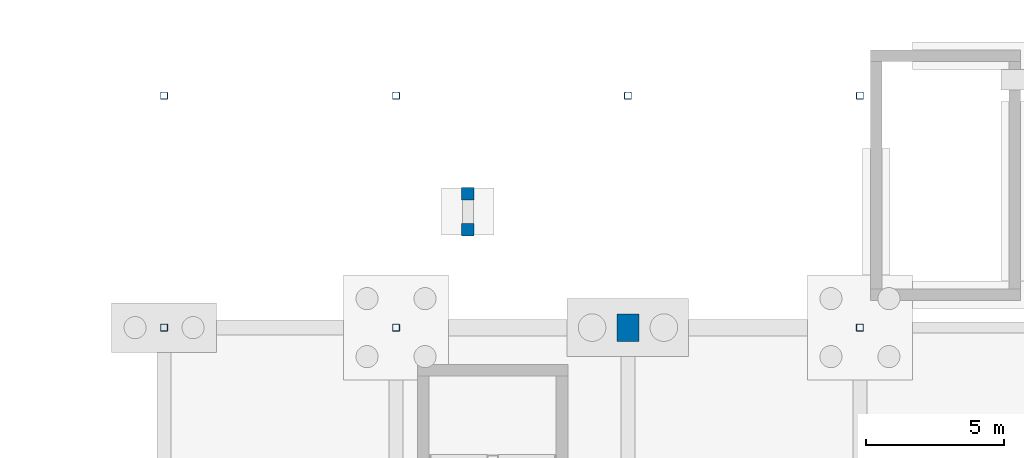
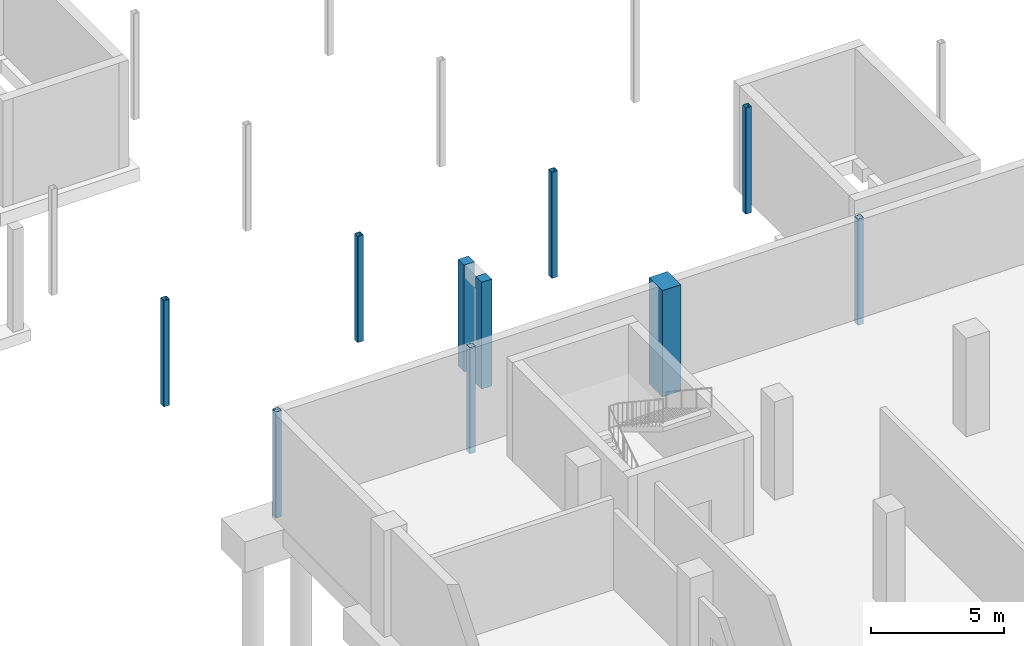
# One storey, part 24 of 39: 10 columns.
"""IFC4 building model written with IfcOpenShell, lengths in metres."""

from ifc_helpers import new_model, si_unit, derived_unit, direction, frame, origin, origin_2d, place, context, subcontext, project, spatial, rectangle, hollow_rectangle, extrude, material, material_profile, profile_set, type_object, element, save


model = new_model("IFC4")

# Units and contexts
model_context = context("Model", 3, precision=1e-05, world=origin(), true_north=direction((0.0, 1.0)))
body_context = subcontext(model_context, "Body", "Model", "MODEL_VIEW")
ifc_project = project(units=[si_unit("LENGTHUNIT", "METRE"), si_unit("AREAUNIT", "SQUARE_METRE"), si_unit("VOLUMEUNIT", "CUBIC_METRE"), si_unit("PLANEANGLEUNIT", "RADIAN"), si_unit("MASSUNIT", "GRAM", prefix="KILO"), derived_unit("THERMALTRANSMITTANCEUNIT", [(si_unit("POWERUNIT", "WATT"), 1), (si_unit("LENGTHUNIT", "METRE"), -2), (si_unit("THERMODYNAMICTEMPERATUREUNIT", "KELVIN"), -1)])], contexts=[model_context])

# Site, building, storey
site_placement = place(None, origin())
site = spatial("IfcSite", under=ifc_project, at=site_placement, CompositionType="ELEMENT")
building_placement = place(site_placement, origin())
building = spatial("IfcBuilding", under=site, at=building_placement, Name="Barrovel Congress Hotel", CompositionType="ELEMENT")
storey_placement = place(building_placement, frame((0.0, 0.0, -4.5)))
storey = spatial("IfcBuildingStorey", under=building, at=storey_placement, Name="B01", CompositionType="ELEMENT", Elevation=-4.5)

# Columns
ifc_material_1 = material(Name="Concrete C40", Category="concrete")
ifc_material_profile_1 = material_profile(ifc_material_1, rectangle(XDim=0.449951171875, YDim=0.449951171875, at=origin_2d()), Name="RC450x450")
ifc_profile_set_1 = profile_set([ifc_material_profile_1], Name="Concrete C40")
column_type_1 = type_object("IfcColumnType", Name="COL-RC450x450", PredefinedType="COLUMN", material=ifc_profile_set_1)
for number, where, z_axis, x_axis, name in (
    (1, (137.0, 83.35009765625, -0.360107421875), (0.0, 0.0, 1.0), (1.0, 0.0, 0.0), "COL:RAMP:R-06:F1:1:A"),
    (2, (137.0, 84.64990234375, -0.360107421875), (0.0, 0.0, 1.0), (1.0, 0.0, 0.0), "COL:RAMP:R-06:F1:1:B"),
):
    element("IfcColumn", number, at=place(storey_placement, frame(where, z_axis=z_axis, x_axis=x_axis)), inside=storey, type_object=column_type_1, Name=name, PredefinedType="COLUMN", context=body_context, shape_type="SweptSolid", body=[
        extrude(rectangle(XDim=0.449951171875, YDim=0.449951171875, at=origin_2d()), origin(), (0.0, 0.0, 1.0), 4.89013671875),
    ])
ifc_material_profile_2 = material_profile(ifc_material_1, rectangle(XDim=0.800048828125, YDim=1.0, at=origin_2d()), Name="RC800x1000")
ifc_profile_set_2 = profile_set([ifc_material_profile_2], Name="Concrete C40")
column_type_2 = type_object("IfcColumnType", Name="COL-RC800x1000", PredefinedType="COLUMN", material=ifc_profile_set_2)
column_placement = place(storey_placement, frame((142.800048828125, 79.800048828125, -0.360107421875), z_axis=(0.0, 0.0, 1.0), x_axis=(1.0, 0.0, 0.0)))
element("IfcColumn", 3, at=column_placement, inside=storey, type_object=column_type_2, Name="COL:B01:142.8:79.8", PredefinedType="COLUMN", context=body_context, shape_type="SweptSolid", body=[
    extrude(rectangle(XDim=0.800048828125, YDim=1.0, at=origin_2d()), origin(), (0.0, 0.0, 1.0), 4.860107421875),
])
ifc_material_2 = material(Name="Steel ASTM A500 Grade C", Category="steel")
ifc_material_profile_3 = material_profile(ifc_material_2, hollow_rectangle(XDim=0.25390625, YDim=0.25390625, WallThickness=0.01171875, InnerFilletRadius=0.01171875, OuterFilletRadius=0.023681640625, at=origin_2d()), Name="HSS254x254x12.7")
ifc_profile_set_3 = profile_set([ifc_material_profile_3], Name="Steel ASTM A500 Grade C")
column_type_3 = type_object("IfcColumnType", Name="SCOL-HSS254x254x12.7", PredefinedType="COLUMN", material=ifc_profile_set_3)
for number, where, z_axis, x_axis, name in (
    (4, (126.0, 79.800048828125, -0.360107421875), (0.0, 0.0, 1.0), (1.0, 0.0, 0.0), "COL:B01:126.0:79.8"),
    (5, (126.0, 88.199951171875, -0.360107421875), (0.0, 0.0, 1.0), (1.0, 0.0, 0.0), "COL:B01:126.0:88.2"),
    (6, (134.39990234375, 79.800048828125, -0.360107421875), (0.0, 0.0, 1.0), (1.0, 0.0, 0.0), "COL:B01:134.4:79.8"),
    (7, (134.39990234375, 88.199951171875, -0.360107421875), (0.0, 0.0, 1.0), (1.0, 0.0, 0.0), "COL:B01:134.4:88.2"),
    (8, (142.800048828125, 88.199951171875, -0.360107421875), (0.0, 0.0, 1.0), (1.0, 0.0, 0.0), "COL:B01:142.8:88.2"),
    (9, (151.199951171875, 79.800048828125, -0.360107421875), (0.0, 0.0, 1.0), (1.0, 0.0, 0.0), "COL:B01:151.2:79.8"),
    (10, (151.199951171875, 88.199951171875, -0.360107421875), (0.0, 0.0, 1.0), (1.0, 0.0, 0.0), "COL:B01:151.2:88.2"),
):
    element("IfcColumn", number, at=place(storey_placement, frame(where, z_axis=z_axis, x_axis=x_axis)), inside=storey, type_object=column_type_3, Name=name, PredefinedType="COLUMN", context=body_context, shape_type="SweptSolid", body=[
        extrude(hollow_rectangle(XDim=0.25390625, YDim=0.25390625, WallThickness=0.01171875, InnerFilletRadius=0.01171875, OuterFilletRadius=0.023681640625, at=origin_2d()), origin(), (0.0, 0.0, 1.0), 4.860107421875),
    ])

save(model, "model.ifc")
